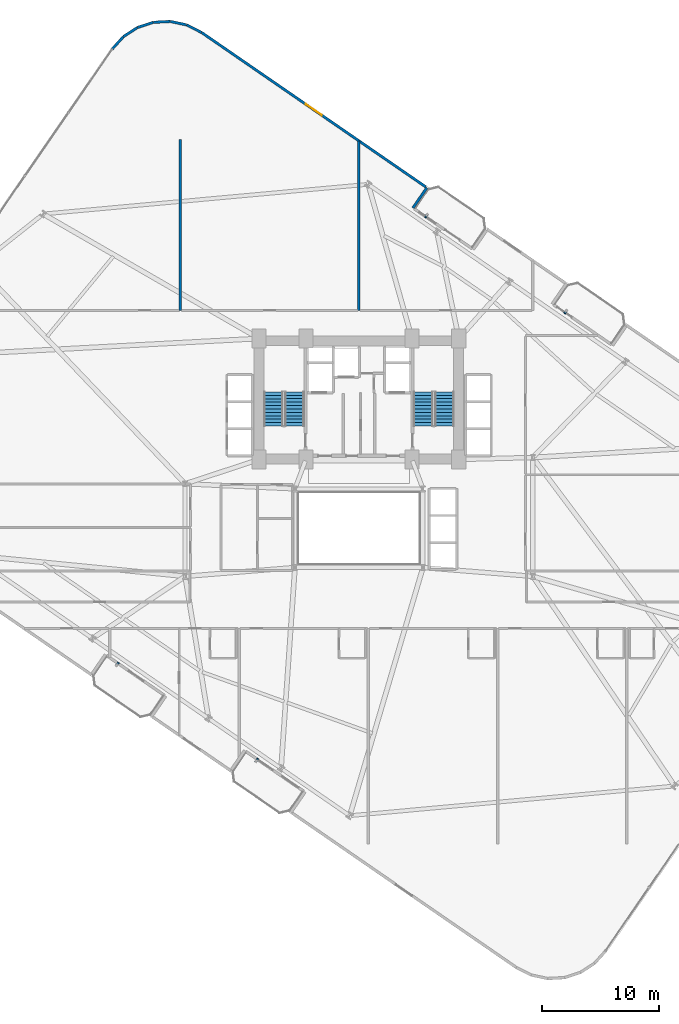
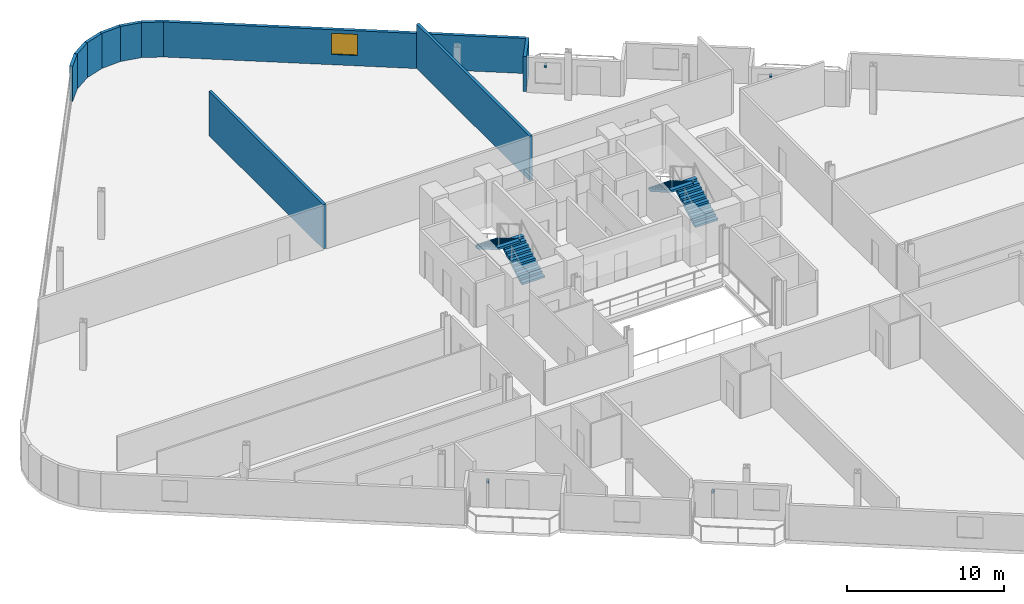
# One storey, part 21 of 24: 10 walls, 4 discrete accessories, 4 stair flights, 1 window, 1 opening, 2 elements without a shape of their own.
"""IFC4 building model written with IfcOpenShell, lengths in metres."""

from ifc_helpers import new_model, si_unit, direction, frame, frame_2d, origin, origin_2d, place, context, subcontext, project, spatial, polyline, rectangle, outline, extrude, source, transform, mapped, material, layer, layer_set, type_object, element, fill, aggregate, save


model = new_model("IFC4")

# Units and contexts
model_context = context("Model", 3, precision=1e-05, world=origin(), true_north=direction((0.0, 1.0)))
body_context = subcontext(model_context, "Body", "Model", "MODEL_VIEW")
ifc_project = project(units=[si_unit("LENGTHUNIT", "METRE"), si_unit("AREAUNIT", "SQUARE_METRE"), si_unit("VOLUMEUNIT", "CUBIC_METRE"), si_unit("PLANEANGLEUNIT", "RADIAN"), si_unit("MASSUNIT", "GRAM", prefix="KILO")], contexts=[model_context])

# Site, building, storey
site_placement = place(None, origin())
site = spatial("IfcSite", under=ifc_project, at=site_placement, CompositionType="ELEMENT")
building_placement = place(site_placement, origin())
building = spatial("IfcBuilding", under=site, at=building_placement, Name="Varnelok Gate Tower", CompositionType="ELEMENT")
storey_placement = place(building_placement, frame((0.0, 0.0, 38.10009765625)))
storey = spatial("IfcBuildingStorey", under=building, at=storey_placement, Name="L08", CompositionType="ELEMENT", Elevation=38.10009765625)

# Wall
ifc_material_1 = material(Name="Concrete C45/55", Category="concrete")
ifc_layer_1 = layer(ifc_material_1, 0.219970703125)
ifc_layer_set_1 = layer_set([ifc_layer_1], Name="Concrete C45/55")
wall_type_1 = type_object("IfcWallType", Name="EW-BALC-220", PredefinedType="SOLIDWALL", material=ifc_layer_set_1)
wall_1_placement = place(storey_placement, frame((43.793701171875, 50.161376953125, 0.0), z_axis=(0.0, 0.0, 1.0), x_axis=(0.567352541689, 0.823475010816, 0.0)))
element("IfcWall", 1, at=wall_1_placement, inside=storey, type_object=wall_type_1, Name="L08 Perimeter Facade Closure Wall 31", PredefinedType="SOLIDWALL", context=body_context, shape_type="SweptSolid", body=[
    extrude(rectangle(XDim=2.099853515625, YDim=0.219970703125, at=frame_2d((1.0498046875, 0.0))), origin(), (0.0, 0.0, 1.0), 2.72998046875),
])

# Wall, opening, window
wall_2_placement = place(storey_placement, frame((44.882080078125, 51.961669921875, 0.0), z_axis=(0.0, 0.0, 1.0), x_axis=(-0.823534427573, 0.567266292497, 0.0)))
wall_2 = element("IfcWall", 2, at=wall_2_placement, inside=storey, type_object=wall_type_1, Name="L08 Perimeter Facade Closure Wall 32", PredefinedType="SOLIDWALL", context=body_context, shape_type="SweptSolid", body=[
    extrude(rectangle(XDim=23.147216796875, YDim=0.219970703125, at=frame_2d((11.57373046875, 0.0))), origin(), (0.0, 0.0, 1.0), 2.72998046875),
])
opening_placement = place(wall_2_placement, frame((10.74853515625, 0.0, 0.800048828125)))
opening = element("IfcOpeningElement", 3, at=opening_placement, cuts=wall_2, Name="Opening WN3", PredefinedType="OPENING", context=body_context, shape_type="SweptSolid", body=[
    extrude(rectangle(XDim=1.64990234375, YDim=1.64990234375, at=frame_2d((0.824951171875, 0.824951171875))), frame((0.0, 0.119873046875, 0.0), z_axis=(0.0, -1.0, 0.0), x_axis=(1.0, 0.0, 0.0)), (0.0, 0.0, 1.0), 0.239990234375),
])
ifc_material_2 = material(Name="Low-E Laminated Double Glazing IGU", Category="glass")
window_type = type_object("IfcWindowType", Name="WN-HTL-1650", PartitioningType="SINGLE_PANEL", PredefinedType="WINDOW", material=ifc_material_2)
window_placement = place(opening_placement, origin())
window = element("IfcWindow", 4, at=window_placement, inside=storey, type_object=window_type, Name="L08 Perimeter Vision Window 32", OverallHeight=1.64990234375, OverallWidth=1.64990234375, PartitioningType="SINGLE_PANEL", PredefinedType="WINDOW", context=body_context, shape_type="SweptSolid", body=[
    extrude(rectangle(XDim=1.64990234375, YDim=1.64990234375, at=frame_2d((0.824951171875, 0.824951171875))), frame((0.0, 0.030029296875, 0.0), z_axis=(0.0, -1.0, 0.0), x_axis=(1.0, 0.0, 0.0)), (0.0, 0.0, 1.0), 0.06005859375),
])
fill(opening, window)

# Walls
wall_3_placement = place(storey_placement, frame((25.79736328125, 65.103759765625, 0.0), z_axis=(0.0, 0.0, 1.0), x_axis=(-0.890559109247, 0.454867533394, 0.0)))
element("IfcWall", 5, at=wall_3_placement, inside=storey, type_object=wall_type_1, Name="L08 Perimeter Facade Closure Wall 33", PredefinedType="SOLIDWALL", context=body_context, shape_type="SweptSolid", body=[
    extrude(rectangle(XDim=1.4130859375, YDim=0.219970703125, at=frame_2d((0.70654296875, 0.0))), origin(), (0.0, 0.0, 1.0), 2.72998046875),
])
for number, where, z_axis, x_axis, name in (
    (6, (24.514404296875, 65.751953125, 0.0), (0.0, 0.0, 1.0), (-0.977952168511, 0.208829011645, 0.0), "L08 Perimeter Facade Closure Wall 34"),
    (7, (23.114990234375, 66.044189453125, 0.0), (0.0, 0.0, 1.0), (-0.998685611917, -0.051254741739, 0.0), "L08 Perimeter Facade Closure Wall 35"),
    (8, (21.68798828125, 65.96435546875, 0.0), (0.0, 0.0, 1.0), (-0.951375653596, -0.308033059501, 0.0), "L08 Perimeter Facade Closure Wall 36"),
    (9, (20.330078125, 65.517822265625, 0.0), (0.0, 0.0, 1.0), (-0.839327688057, -0.543625819899, 0.0), "L08 Perimeter Facade Closure Wall 37"),
    (10, (19.1337890625, 64.735107421875, 0.0), (0.0, 0.0, 1.0), (-0.669952842826, -0.742403655964, 0.0), "L08 Perimeter Facade Closure Wall 38"),
):
    element("IfcWall", number, at=place(storey_placement, frame(where, z_axis=z_axis, x_axis=x_axis)), inside=storey, type_object=wall_type_1, Name=name, PredefinedType="SOLIDWALL", context=body_context, shape_type="SweptSolid", body=[
        extrude(rectangle(XDim=1.4052734375, YDim=0.219970703125, at=frame_2d((0.70263671875, 0.0))), origin(), (0.0, 0.0, 1.0), 2.72998046875),
    ])
ifc_material_3 = material(Name="Gypsum Plasterboard Acoustic Partition", Category="gypsum")
ifc_layer_2 = layer(ifc_material_3, 0.205078125)
ifc_layer_set_2 = layer_set([ifc_layer_2], Name="Gypsum Plasterboard Acoustic Partition")
wall_type_2 = type_object("IfcWallType", Name="PW-PARTY-200", PredefinedType="PARTITIONING", material=ifc_layer_set_2)
wall_4_placement = place(storey_placement, frame((24.0, 41.429931640625, 0.0), z_axis=(0.0, 0.0, 1.0), x_axis=(0.0, 1.0, 0.0)))
element("IfcWall", 11, at=wall_4_placement, inside=storey, type_object=wall_type_2, Name="L08 North Party Wall 1", PredefinedType="PARTITIONING", context=body_context, shape_type="SweptSolid", body=[
    extrude(rectangle(XDim=14.570068359375, YDim=0.205078125, at=frame_2d((7.28515625, 0.0))), origin(), (0.0, 0.0, 1.0), 3.449951171875),
])
wall_5_placement = place(storey_placement, frame((39.199951171875, 41.429931640625, 0.0), z_axis=(0.0, 0.0, 1.0), x_axis=(0.0, 1.0, 0.0)))
element("IfcWall", 12, at=wall_5_placement, inside=storey, type_object=wall_type_2, Name="L08 North Party Wall 2", PredefinedType="PARTITIONING", context=body_context, shape_type="SweptSolid", body=[
    extrude(rectangle(XDim=14.42138671875, YDim=0.205078125, at=frame_2d((7.210693359375, 0.0))), origin(), (0.0, 0.0, 1.0), 3.449951171875),
])

# Stair, stair flights
ifc_material_4 = material(Name="Concrete C50/60", Category="concrete")
stair_type = type_object("IfcStairType", Name="STR-CORE-1650", PredefinedType="HALF_TURN_STAIR", material=ifc_material_4)
stair_1_placement = place(storey_placement, origin())
stair_1 = element("IfcStair", 13, at=stair_1_placement, inside=storey, type_object=stair_type, Name="L08 Exit Stair ST-1", PredefinedType="HALF_TURN_STAIR")
stair_flight_type = type_object("IfcStairFlightType", Name="SFL-CORE-1650", PredefinedType="STRAIGHT", material=ifc_material_4)
stair_flight_1_placement = place(storey_placement, frame((33.72509765625, 31.60009765625, 0.0), z_axis=(0.0, 0.0, 1.0), x_axis=(0.0, 1.0, 0.0)))
stair_flight_1 = element("IfcStairFlight", 14, at=stair_flight_1_placement, type_object=stair_flight_type, Name="ST-1 flight 1", NumberOfRisers=11, NumberOfTreads=10, PredefinedType="STRAIGHT", RiserHeight=0.168181818, TreadLength=0.29, context=body_context, shape_type="SweptSolid", body=[
    extrude(outline(polyline([(0.0, 0.0), (0.0, 0.168212890625), (0.2900390625, 0.168212890625), (0.2900390625, 0.33642578125), (0.580078125, 0.33642578125), (0.580078125, 0.504638671875), (0.8701171875, 0.504638671875), (0.8701171875, 0.672607421875), (1.159912109375, 0.672607421875), (1.159912109375, 0.8408203125), (1.449951171875, 0.8408203125), (1.449951171875, 1.009033203125), (1.739990234375, 1.009033203125), (1.739990234375, 1.17724609375), (2.030029296875, 1.17724609375), (2.030029296875, 1.345458984375), (2.320068359375, 1.345458984375), (2.320068359375, 1.513671875), (2.610107421875, 1.513671875), (2.610107421875, 1.681884765625), (2.89990234375, 1.681884765625), (2.89990234375, 1.85009765625), (2.89990234375, 1.508544921875), (0.298828125, 0.0), (0.0, 0.0)])), frame((0.0, 0.824951171875, 0.0), z_axis=(0.0, -1.0, 0.0), x_axis=(1.0, 0.0, 0.0)), (0.0, 0.0, 1.0), 1.64990234375),
])
stair_flight_2_placement = place(storey_placement, frame((31.925048828125, 34.5, 1.849853515625), z_axis=(0.0, 0.0, 1.0), x_axis=(0.0, -1.0, 0.0)))
stair_flight_2 = element("IfcStairFlight", 15, at=stair_flight_2_placement, type_object=stair_flight_type, Name="ST-1 flight 2", NumberOfRisers=11, NumberOfTreads=10, PredefinedType="STRAIGHT", RiserHeight=0.168181818, TreadLength=0.29, context=body_context, shape_type="SweptSolid", body=[
    extrude(outline(polyline([(0.0, 0.0), (0.0, 0.168212890625), (0.2900390625, 0.168212890625), (0.2900390625, 0.33642578125), (0.580078125, 0.33642578125), (0.580078125, 0.504638671875), (0.8701171875, 0.504638671875), (0.8701171875, 0.672607421875), (1.159912109375, 0.672607421875), (1.159912109375, 0.8408203125), (1.449951171875, 0.8408203125), (1.449951171875, 1.009033203125), (1.739990234375, 1.009033203125), (1.739990234375, 1.17724609375), (2.030029296875, 1.17724609375), (2.030029296875, 1.345458984375), (2.320068359375, 1.345458984375), (2.320068359375, 1.513671875), (2.610107421875, 1.513671875), (2.610107421875, 1.681884765625), (2.89990234375, 1.681884765625), (2.89990234375, 1.85009765625), (2.89990234375, 1.508544921875), (0.298828125, 0.0), (0.0, 0.0)])), frame((0.0, 0.824951171875, 0.0), z_axis=(0.0, -1.0, 0.0), x_axis=(1.0, 0.0, 0.0)), (0.0, 0.0, 1.0), 1.64990234375),
])
aggregate(stair_1, [stair_flight_1, stair_flight_2])

stair_2_placement = place(storey_placement, origin())
stair_2 = element("IfcStair", 16, at=stair_2_placement, inside=storey, type_object=stair_type, Name="L08 Exit Stair ST-2", PredefinedType="HALF_TURN_STAIR")
stair_flight_3_placement = place(storey_placement, frame((46.47509765625, 31.60009765625, 0.0), z_axis=(0.0, 0.0, 1.0), x_axis=(0.0, 1.0, 0.0)))
stair_flight_3 = element("IfcStairFlight", 17, at=stair_flight_3_placement, type_object=stair_flight_type, Name="ST-2 flight 1", NumberOfRisers=11, NumberOfTreads=10, PredefinedType="STRAIGHT", RiserHeight=0.168181818, TreadLength=0.29, context=body_context, shape_type="SweptSolid", body=[
    extrude(outline(polyline([(0.0, 0.0), (0.0, 0.168212890625), (0.2900390625, 0.168212890625), (0.2900390625, 0.33642578125), (0.580078125, 0.33642578125), (0.580078125, 0.504638671875), (0.8701171875, 0.504638671875), (0.8701171875, 0.672607421875), (1.159912109375, 0.672607421875), (1.159912109375, 0.8408203125), (1.449951171875, 0.8408203125), (1.449951171875, 1.009033203125), (1.739990234375, 1.009033203125), (1.739990234375, 1.17724609375), (2.030029296875, 1.17724609375), (2.030029296875, 1.345458984375), (2.320068359375, 1.345458984375), (2.320068359375, 1.513671875), (2.610107421875, 1.513671875), (2.610107421875, 1.681884765625), (2.89990234375, 1.681884765625), (2.89990234375, 1.85009765625), (2.89990234375, 1.508544921875), (0.298828125, 0.0), (0.0, 0.0)])), frame((0.0, 0.824951171875, 0.0), z_axis=(0.0, -1.0, 0.0), x_axis=(1.0, 0.0, 0.0)), (0.0, 0.0, 1.0), 1.64990234375),
])
stair_flight_4_placement = place(storey_placement, frame((44.675048828125, 34.5, 1.849853515625), z_axis=(0.0, 0.0, 1.0), x_axis=(0.0, -1.0, 0.0)))
stair_flight_4 = element("IfcStairFlight", 18, at=stair_flight_4_placement, type_object=stair_flight_type, Name="ST-2 flight 2", NumberOfRisers=11, NumberOfTreads=10, PredefinedType="STRAIGHT", RiserHeight=0.168181818, TreadLength=0.29, context=body_context, shape_type="SweptSolid", body=[
    extrude(outline(polyline([(0.0, 0.0), (0.0, 0.168212890625), (0.2900390625, 0.168212890625), (0.2900390625, 0.33642578125), (0.580078125, 0.33642578125), (0.580078125, 0.504638671875), (0.8701171875, 0.504638671875), (0.8701171875, 0.672607421875), (1.159912109375, 0.672607421875), (1.159912109375, 0.8408203125), (1.449951171875, 0.8408203125), (1.449951171875, 1.009033203125), (1.739990234375, 1.009033203125), (1.739990234375, 1.17724609375), (2.030029296875, 1.17724609375), (2.030029296875, 1.345458984375), (2.320068359375, 1.345458984375), (2.320068359375, 1.513671875), (2.610107421875, 1.513671875), (2.610107421875, 1.681884765625), (2.89990234375, 1.681884765625), (2.89990234375, 1.85009765625), (2.89990234375, 1.508544921875), (0.298828125, 0.0), (0.0, 0.0)])), frame((0.0, 0.824951171875, 0.0), z_axis=(0.0, -1.0, 0.0), x_axis=(1.0, 0.0, 0.0)), (0.0, 0.0, 1.0), 1.64990234375),
])
aggregate(stair_2, [stair_flight_3, stair_flight_4])

# Discrete accessories
ifc_material_5 = material(Name="Structural Steel ASTM A500 Grade C", Category="steel")
discrete_accessory_type = type_object("IfcDiscreteAccessoryType", Name="ACC-BAGUETTE-BRK", PredefinedType="BRACKET", material=ifc_material_5)
shared_shape = source(origin(), body_context, "Body", "SweptSolid", [
    extrude(rectangle(XDim=0.159912109375, YDim=0.340087890625, at=origin_2d()), origin(), (0.0, 0.0, 1.0), 0.139892578125),
])
for number, where, z_axis, x_axis, name in (
    (19, (18.64453125, 11.32421875, 1.97998046875), (0.0, 0.0, 1.0), (0.823532597628, -0.567268949127, 0.0), "L08 Terracotta Baguette Bracket 1.1"),
    (20, (30.50341796875, 3.155517578125, 1.97998046875), (0.0, 0.0, 1.0), (0.823532597628, -0.567268949127, 0.0), "L08 Terracotta Baguette Bracket 2.1"),
    (21, (44.931884765625, 49.48681640625, 1.97998046875), (0.0, 0.0, 1.0), (0.823532597628, -0.567268949127, 0.0), "L08 Terracotta Baguette Bracket 3.1"),
    (22, (56.790771484375, 41.318115234375, 1.97998046875), (0.0, 0.0, 1.0), (0.823532597628, -0.567268949127, 0.0), "L08 Terracotta Baguette Bracket 4.1"),
):
    element("IfcDiscreteAccessory", number, at=place(storey_placement, frame(where, z_axis=z_axis, x_axis=x_axis)), inside=storey, type_object=discrete_accessory_type, Name=name, PredefinedType="BRACKET", context=body_context, shape_type="MappedRepresentation", body=[
        mapped(shared_shape, transform((0.0, 0.0, 0.0), scale=1.0)),
    ])

save(model, "model.ifc")
